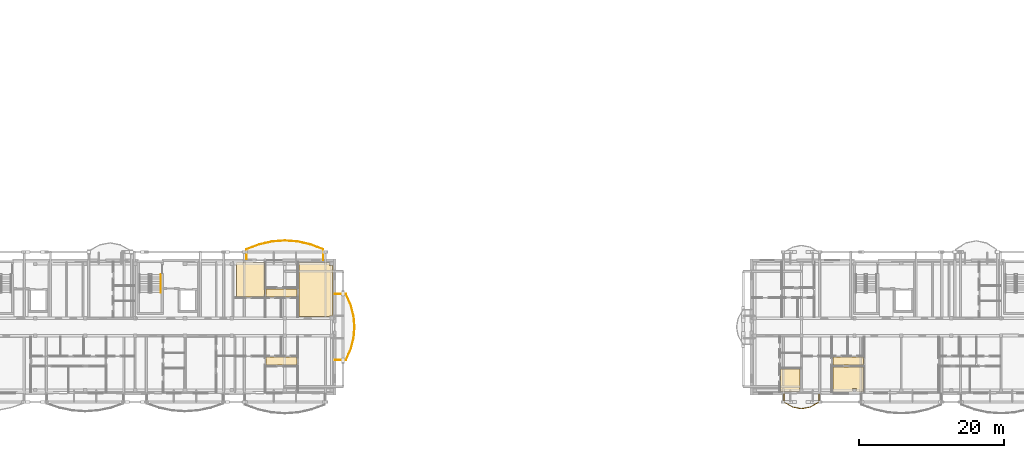
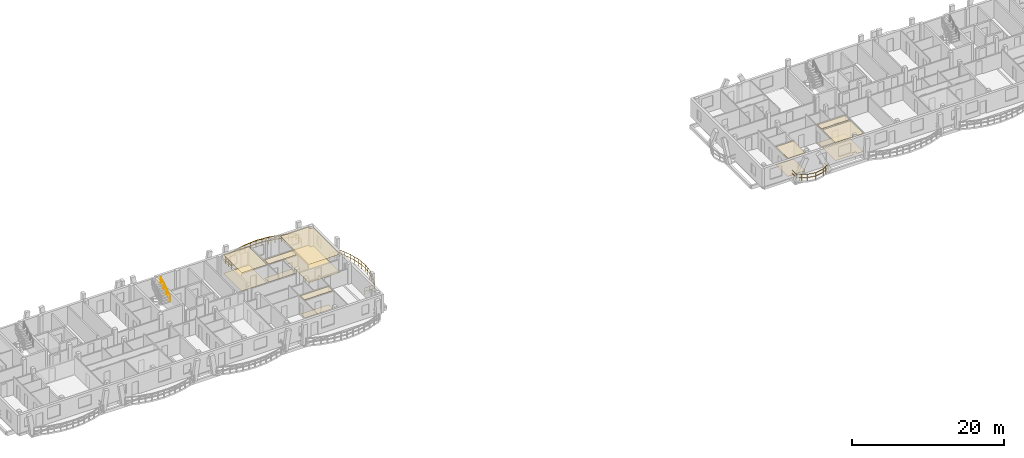
# One storey, part 41 of 52: 14 coverings, 4 railings.
"""IFC4 building model written with IfcOpenShell, lengths in metres."""

from ifc_helpers import new_model, si_unit, direction, frame, origin, origin_2d, place, context, subcontext, project, spatial, polyline, rectangle, outline, extrude, material, layer, layer_set, type_object, element, save


model = new_model("IFC4")

# Units and contexts
model_context = context("Model", 3, precision=1e-05, world=origin(), true_north=direction((0.0, 1.0)))
body_context = subcontext(model_context, "Body", "Model", "MODEL_VIEW")
ifc_project = project(units=[si_unit("LENGTHUNIT", "METRE"), si_unit("AREAUNIT", "SQUARE_METRE"), si_unit("VOLUMEUNIT", "CUBIC_METRE"), si_unit("PLANEANGLEUNIT", "RADIAN"), si_unit("MASSUNIT", "GRAM", prefix="KILO")], contexts=[model_context])

# Site, building, storey
site_placement = place(None, origin())
site = spatial("IfcSite", under=ifc_project, at=site_placement, CompositionType="ELEMENT")
building_placement = place(site_placement, origin())
building = spatial("IfcBuilding", under=site, at=building_placement, Name="Zavelmont Quarter", CompositionType="ELEMENT")
storey_placement = place(building_placement, frame((0.0, 0.0, 14.39990234375)))
storey = spatial("IfcBuildingStorey", under=building, at=storey_placement, Name="L04", CompositionType="ELEMENT", Elevation=14.39990234375)

# Coverings
ifc_material_1 = material(Name="Perforated acoustic gypsum board")
ifc_layer_1 = layer(ifc_material_1, 0.02490234375)
ifc_layer_set_1 = layer_set([ifc_layer_1], Name="Perforated acoustic gypsum board")
covering_type_1 = type_object("IfcCoveringType", Name="CV-CL01", PredefinedType="CEILING", material=ifc_layer_set_1)
covering_1_placement = place(storey_placement, frame((0.0, 0.0, 2.9150390625)))
element("IfcCovering", 1, at=covering_1_placement, inside=storey, type_object=covering_type_1, Name="L04 Double Bedroom acoustic ceiling", PredefinedType="CEILING", context=body_context, shape_type="SweptSolid", body=[
    extrude(outline(polyline([(41.6298828125, 18.1201171875), (45.469970703125, 18.1201171875), (45.469970703125, 13.3798828125), (41.6298828125, 13.3798828125), (41.6298828125, 18.1201171875)])), origin(), (0.0, 0.0, 1.0), 0.025146484375),
])
covering_2_placement = place(storey_placement, frame((0.0, 0.0, 2.9150390625)))
element("IfcCovering", 2, at=covering_2_placement, inside=storey, type_object=covering_type_1, Name="L04 Living Dining acoustic ceiling", PredefinedType="CEILING", context=body_context, shape_type="SweptSolid", body=[
    extrude(outline(polyline([(50.22998046875, 18.1201171875), (54.469970703125, 18.1201171875), (54.469970703125, 17.669921875), (54.969970703125, 17.669921875), (54.969970703125, 10.68994140625), (54.469970703125, 10.68994140625), (54.469970703125, 10.6298828125), (50.22998046875, 10.6298828125), (50.22998046875, 18.1201171875)])), origin(), (0.0, 0.0, 1.0), 0.025146484375),
])
covering_3_placement = place(storey_placement, frame((0.0, 0.0, 2.885009765625)))
element("IfcCovering", 3, at=covering_3_placement, inside=storey, type_object=covering_type_1, Name="L04 Single Bedroom acoustic ceiling", PredefinedType="CEILING", context=body_context, shape_type="SweptSolid", body=[
    extrude(outline(polyline([(116.830078125, 3.3701171875), (119.469970703125, 3.3701171875), (119.469970703125, 0.705078125), (119.43505859375, 0.705078125), (119.43505859375, 0.280029296875), (116.830078125, 0.280029296875), (116.830078125, 3.3701171875)])), origin(), (0.0, 0.0, 1.0), 0.025146484375),
])
covering_4_placement = place(storey_placement, frame((0.0, 0.0, 2.885009765625)))
element("IfcCovering", 4, at=covering_4_placement, inside=storey, type_object=covering_type_1, Name="L04 Master Bedroom acoustic ceiling", PredefinedType="CEILING", context=body_context, shape_type="SweptSolid", body=[
    extrude(outline(polyline([(124.030029296875, 3.669921875), (128.27001953125, 3.669921875), (128.27001953125, 0.280029296875), (127.304931640625, 0.280029296875), (127.304931640625, 0.705078125), (126.77490234375, 0.705078125), (126.77490234375, 0.280029296875), (124.030029296875, 0.280029296875), (124.030029296875, 3.669921875)])), origin(), (0.0, 0.0, 1.0), 0.025146484375),
])
ifc_material_2 = material(Name="Slatted European ash acoustic baffle ceiling")
ifc_layer_2 = layer(ifc_material_2, 0.0400390625)
ifc_layer_set_2 = layer_set([ifc_layer_2], Name="Slatted European ash acoustic baffle ceiling")
covering_type_2 = type_object("IfcCoveringType", Name="CV-CL02", PredefinedType="CEILING", material=ifc_layer_set_2)
covering_5_placement = place(storey_placement, frame((0.0, 0.0, 2.900146484375)))
element("IfcCovering", 5, at=covering_5_placement, inside=storey, type_object=covering_type_2, Name="L04 Apartment Hall acoustic ceiling", PredefinedType="CEILING", context=body_context, shape_type="SweptSolid", body=[
    extrude(outline(polyline([(45.72998046875, 5.02001953125), (49.969970703125, 5.02001953125), (49.969970703125, 3.929931640625), (45.72998046875, 3.929931640625), (45.72998046875, 5.02001953125)])), origin(), (0.0, 0.0, 1.0), 0.0400390625),
])
covering_6_placement = place(storey_placement, frame((0.0, 0.0, 2.900146484375)))
element("IfcCovering", 6, at=covering_6_placement, inside=storey, type_object=covering_type_2, Name="L04 Apartment Hall acoustic ceiling", PredefinedType="CEILING", context=body_context, shape_type="SweptSolid", body=[
    extrude(outline(polyline([(45.72998046875, 14.469970703125), (49.969970703125, 14.469970703125), (49.969970703125, 13.3798828125), (45.72998046875, 13.3798828125), (45.72998046875, 14.469970703125)])), origin(), (0.0, 0.0, 1.0), 0.0400390625),
])
covering_7_placement = place(storey_placement, frame((0.0, 0.0, 2.8701171875)))
element("IfcCovering", 7, at=covering_7_placement, inside=storey, type_object=covering_type_2, Name="L04 Apartment Hall acoustic ceiling", PredefinedType="CEILING", context=body_context, shape_type="SweptSolid", body=[
    extrude(outline(polyline([(124.030029296875, 5.02001953125), (128.27001953125, 5.02001953125), (128.27001953125, 3.929931640625), (124.030029296875, 3.929931640625), (124.030029296875, 5.02001953125)])), origin(), (0.0, 0.0, 1.0), 0.0400390625),
])
ifc_material_3 = material(Name="Engineered European oak parquet")
ifc_layer_3 = layer(ifc_material_3, 0.02197265625)
ifc_layer_set_3 = layer_set([ifc_layer_3], Name="Engineered European oak parquet")
covering_type_3 = type_object("IfcCoveringType", Name="CV-FL01", PredefinedType="FLOORING", material=ifc_layer_set_3)
covering_8_placement = place(storey_placement, origin())
element("IfcCovering", 8, at=covering_8_placement, inside=storey, type_object=covering_type_3, Name="L04 Double Bedroom floor finish", PredefinedType="FLOORING", context=body_context, shape_type="SweptSolid", body=[
    extrude(outline(polyline([(41.6298828125, 18.1201171875), (45.469970703125, 18.1201171875), (45.469970703125, 13.3798828125), (41.6298828125, 13.3798828125), (41.6298828125, 18.1201171875)])), origin(), (0.0, 0.0, 1.0), 0.022216796875),
])
covering_9_placement = place(storey_placement, origin())
element("IfcCovering", 9, at=covering_9_placement, inside=storey, type_object=covering_type_3, Name="L04 Living Dining floor finish", PredefinedType="FLOORING", context=body_context, shape_type="SweptSolid", body=[
    extrude(outline(polyline([(50.22998046875, 18.1201171875), (54.469970703125, 18.1201171875), (54.469970703125, 17.669921875), (54.969970703125, 17.669921875), (54.969970703125, 10.68994140625), (54.469970703125, 10.68994140625), (54.469970703125, 10.6298828125), (50.22998046875, 10.6298828125), (50.22998046875, 18.1201171875)])), origin(), (0.0, 0.0, 1.0), 0.022216796875),
])
covering_10_placement = place(storey_placement, origin())
element("IfcCovering", 10, at=covering_10_placement, inside=storey, type_object=covering_type_3, Name="L04 Single Bedroom floor finish", PredefinedType="FLOORING", context=body_context, shape_type="SweptSolid", body=[
    extrude(outline(polyline([(116.830078125, 3.3701171875), (119.469970703125, 3.3701171875), (119.469970703125, 0.705078125), (119.43505859375, 0.705078125), (119.43505859375, 0.280029296875), (116.830078125, 0.280029296875), (116.830078125, 3.3701171875)])), origin(), (0.0, 0.0, 1.0), 0.022216796875),
])
covering_11_placement = place(storey_placement, origin())
element("IfcCovering", 11, at=covering_11_placement, inside=storey, type_object=covering_type_3, Name="L04 Master Bedroom floor finish", PredefinedType="FLOORING", context=body_context, shape_type="SweptSolid", body=[
    extrude(outline(polyline([(124.030029296875, 3.669921875), (128.27001953125, 3.669921875), (128.27001953125, 0.280029296875), (127.304931640625, 0.280029296875), (127.304931640625, 0.705078125), (126.77490234375, 0.705078125), (126.77490234375, 0.280029296875), (124.030029296875, 0.280029296875), (124.030029296875, 3.669921875)])), origin(), (0.0, 0.0, 1.0), 0.022216796875),
])
ifc_material_4 = material(Name="Honed Belgian bluestone tile", Category="masonry")
ifc_layer_4 = layer(ifc_material_4, 0.030029296875)
ifc_layer_set_4 = layer_set([ifc_layer_4], Name="Honed Belgian bluestone tile")
covering_type_4 = type_object("IfcCoveringType", Name="CV-FL02", PredefinedType="FLOORING", material=ifc_layer_set_4)
covering_12_placement = place(storey_placement, origin())
element("IfcCovering", 12, at=covering_12_placement, inside=storey, type_object=covering_type_4, Name="L04 Apartment Hall floor finish", PredefinedType="FLOORING", context=body_context, shape_type="SweptSolid", body=[
    extrude(outline(polyline([(45.72998046875, 5.02001953125), (49.969970703125, 5.02001953125), (49.969970703125, 3.929931640625), (45.72998046875, 3.929931640625), (45.72998046875, 5.02001953125)])), origin(), (0.0, 0.0, 1.0), 0.030029296875),
])
covering_13_placement = place(storey_placement, origin())
element("IfcCovering", 13, at=covering_13_placement, inside=storey, type_object=covering_type_4, Name="L04 Apartment Hall floor finish", PredefinedType="FLOORING", context=body_context, shape_type="SweptSolid", body=[
    extrude(outline(polyline([(45.72998046875, 14.469970703125), (49.969970703125, 14.469970703125), (49.969970703125, 13.3798828125), (45.72998046875, 13.3798828125), (45.72998046875, 14.469970703125)])), origin(), (0.0, 0.0, 1.0), 0.030029296875),
])
covering_14_placement = place(storey_placement, origin())
element("IfcCovering", 14, at=covering_14_placement, inside=storey, type_object=covering_type_4, Name="L04 Apartment Hall floor finish", PredefinedType="FLOORING", context=body_context, shape_type="SweptSolid", body=[
    extrude(outline(polyline([(124.030029296875, 5.02001953125), (128.27001953125, 5.02001953125), (128.27001953125, 3.929931640625), (124.030029296875, 3.929931640625), (124.030029296875, 5.02001953125)])), origin(), (0.0, 0.0, 1.0), 0.030029296875),
])

# Railings
ifc_material_5 = material(Name="Powder-coated steel and tempered double safety glass", Category="steel")
railing_type_1 = type_object("IfcRailingType", Name="RL-BAL1", PredefinedType="BALUSTRADE", material=ifc_material_5)
railing_1_placement = place(storey_placement, frame((55.219970703125, 4.618896484375, 0.0)))
element("IfcRailing", 15, at=railing_1_placement, inside=storey, type_object=railing_type_1, Name="L04 Block A curved balcony guard RL-BAL1", PredefinedType="BALUSTRADE", context=body_context, shape_type="SweptSolid", body=[
    extrude(rectangle(XDim=0.048095703125, YDim=0.048095703125, at=origin_2d()), frame((0.0, 0.0, 1.076171875), z_axis=(1.0, 0.0, 0.0), x_axis=(0.0, 1.0, 0.0)), (0.0, 0.0, 1.0), 1.517333984375),
    extrude(rectangle(XDim=0.048095703125, YDim=0.048095703125, at=origin_2d()), frame((0.0, 0.0, 0.550048828125), z_axis=(1.0, 0.0, 0.0), x_axis=(0.0, 1.0, 0.0)), (0.0, 0.0, 1.0), 1.517333984375),
    extrude(rectangle(XDim=0.048095703125, YDim=0.048095703125, at=origin_2d()), frame((1.517333984375, 0.0, 1.076171875), z_axis=(0.402223510218, 0.915541505246, 0.0), x_axis=(-0.915541505246, 0.402223510218, 0.0)), (0.0, 0.0, 1.0), 1.66796875),
    extrude(rectangle(XDim=0.048095703125, YDim=0.048095703125, at=origin_2d()), frame((1.517333984375, 0.0, 0.550048828125), z_axis=(0.402223510218, 0.915541505246, 0.0), x_axis=(-0.915541505246, 0.402223510218, 0.0)), (0.0, 0.0, 1.0), 1.66796875),
    extrude(rectangle(XDim=0.048095703125, YDim=0.048095703125, at=origin_2d()), frame((2.188232421875, 1.527099609375, 1.076171875), z_axis=(0.254957510735, 0.966952257208, 0.0), x_axis=(-0.966952257208, 0.254957510735, 0.0)), (0.0, 0.0, 1.0), 1.5791015625),
    extrude(rectangle(XDim=0.048095703125, YDim=0.048095703125, at=origin_2d()), frame((2.188232421875, 1.527099609375, 0.550048828125), z_axis=(0.254957510735, 0.966952257208, 0.0), x_axis=(-0.966952257208, 0.254957510735, 0.0)), (0.0, 0.0, 1.0), 1.5791015625),
    extrude(rectangle(XDim=0.048095703125, YDim=0.048095703125, at=origin_2d()), frame((2.5908203125, 3.053955078125, 1.076171875), z_axis=(0.087591695218, 0.996156461069, 0.0), x_axis=(-0.996156461069, 0.087591695218, 0.0)), (0.0, 0.0, 1.0), 1.532958984375),
    extrude(rectangle(XDim=0.048095703125, YDim=0.048095703125, at=origin_2d()), frame((2.5908203125, 3.053955078125, 0.550048828125), z_axis=(0.087591695218, 0.996156461069, 0.0), x_axis=(-0.996156461069, 0.087591695218, 0.0)), (0.0, 0.0, 1.0), 1.532958984375),
    extrude(rectangle(XDim=0.048095703125, YDim=0.048095703125, at=origin_2d()), frame((2.72509765625, 4.5810546875, 1.076171875), z_axis=(-0.087591695218, 0.996156461069, 0.0), x_axis=(-0.996156461069, -0.087591695218, 0.0)), (0.0, 0.0, 1.0), 1.532958984375),
    extrude(rectangle(XDim=0.048095703125, YDim=0.048095703125, at=origin_2d()), frame((2.72509765625, 4.5810546875, 0.550048828125), z_axis=(-0.087591695218, 0.996156461069, 0.0), x_axis=(-0.996156461069, -0.087591695218, 0.0)), (0.0, 0.0, 1.0), 1.532958984375),
    extrude(rectangle(XDim=0.048095703125, YDim=0.048095703125, at=origin_2d()), frame((2.5908203125, 6.108154296875, 1.076171875), z_axis=(-0.254919399122, 0.966962305341, 0.0), x_axis=(-0.966962305341, -0.254919399122, 0.0)), (0.0, 0.0, 1.0), 1.579345703125),
    extrude(rectangle(XDim=0.048095703125, YDim=0.048095703125, at=origin_2d()), frame((2.5908203125, 6.108154296875, 0.550048828125), z_axis=(-0.254919399122, 0.966962305341, 0.0), x_axis=(-0.966962305341, -0.254919399122, 0.0)), (0.0, 0.0, 1.0), 1.579345703125),
    extrude(rectangle(XDim=0.048095703125, YDim=0.048095703125, at=origin_2d()), frame((2.188232421875, 7.63525390625, 1.076171875), z_axis=(-0.402223510218, 0.915541505246, 0.0), x_axis=(-0.915541505246, -0.402223510218, 0.0)), (0.0, 0.0, 1.0), 1.66796875),
    extrude(rectangle(XDim=0.048095703125, YDim=0.048095703125, at=origin_2d()), frame((2.188232421875, 7.63525390625, 0.550048828125), z_axis=(-0.402223510218, 0.915541505246, 0.0), x_axis=(-0.915541505246, -0.402223510218, 0.0)), (0.0, 0.0, 1.0), 1.66796875),
    extrude(rectangle(XDim=0.048095703125, YDim=0.048095703125, at=origin_2d()), frame((1.517333984375, 9.162353515625, 1.076171875), z_axis=(-1.0, 0.0, 0.0), x_axis=(0.0, -1.0, 0.0)), (0.0, 0.0, 1.0), 1.517333984375),
    extrude(rectangle(XDim=0.048095703125, YDim=0.048095703125, at=origin_2d()), frame((1.517333984375, 9.162353515625, 0.550048828125), z_axis=(-1.0, 0.0, 0.0), x_axis=(0.0, -1.0, 0.0)), (0.0, 0.0, 1.0), 1.517333984375),
    extrude(rectangle(XDim=0.0419921875, YDim=0.0419921875, at=origin_2d()), origin(), (0.0, 0.0, 1.0), 1.052001953125),
    extrude(rectangle(XDim=0.0419921875, YDim=0.0419921875, at=origin_2d()), frame((0.7587890625, 0.0, 0.0)), (0.0, 0.0, 1.0), 1.052001953125),
    extrude(rectangle(XDim=0.0419921875, YDim=0.0419921875, at=origin_2d()), frame((1.517333984375, 0.0, 0.0)), (0.0, 0.0, 1.0), 1.052001953125),
    extrude(rectangle(XDim=0.0419921875, YDim=0.0419921875, at=origin_2d()), frame((1.852783203125, 0.763671875, 0.0)), (0.0, 0.0, 1.0), 1.052001953125),
    extrude(rectangle(XDim=0.0419921875, YDim=0.0419921875, at=origin_2d()), frame((2.188232421875, 1.527099609375, 0.0)), (0.0, 0.0, 1.0), 1.052001953125),
    extrude(rectangle(XDim=0.0419921875, YDim=0.0419921875, at=origin_2d()), frame((2.3896484375, 2.29052734375, 0.0)), (0.0, 0.0, 1.0), 1.052001953125),
    extrude(rectangle(XDim=0.0419921875, YDim=0.0419921875, at=origin_2d()), frame((2.5908203125, 3.053955078125, 0.0)), (0.0, 0.0, 1.0), 1.052001953125),
    extrude(rectangle(XDim=0.0419921875, YDim=0.0419921875, at=origin_2d()), frame((2.657958984375, 3.8173828125, 0.0)), (0.0, 0.0, 1.0), 1.052001953125),
    extrude(rectangle(XDim=0.0419921875, YDim=0.0419921875, at=origin_2d()), frame((2.72509765625, 4.5810546875, 0.0)), (0.0, 0.0, 1.0), 1.052001953125),
    extrude(rectangle(XDim=0.0419921875, YDim=0.0419921875, at=origin_2d()), frame((2.657958984375, 5.3447265625, 0.0)), (0.0, 0.0, 1.0), 1.052001953125),
    extrude(rectangle(XDim=0.0419921875, YDim=0.0419921875, at=origin_2d()), frame((2.5908203125, 6.108154296875, 0.0)), (0.0, 0.0, 1.0), 1.052001953125),
    extrude(rectangle(XDim=0.0419921875, YDim=0.0419921875, at=origin_2d()), frame((2.3896484375, 6.87158203125, 0.0)), (0.0, 0.0, 1.0), 1.052001953125),
    extrude(rectangle(XDim=0.0419921875, YDim=0.0419921875, at=origin_2d()), frame((2.188232421875, 7.63525390625, 0.0)), (0.0, 0.0, 1.0), 1.052001953125),
    extrude(rectangle(XDim=0.0419921875, YDim=0.0419921875, at=origin_2d()), frame((1.852783203125, 8.39892578125, 0.0)), (0.0, 0.0, 1.0), 1.052001953125),
    extrude(rectangle(XDim=0.0419921875, YDim=0.0419921875, at=origin_2d()), frame((1.517333984375, 9.162353515625, 0.0)), (0.0, 0.0, 1.0), 1.052001953125),
    extrude(rectangle(XDim=0.0419921875, YDim=0.0419921875, at=origin_2d()), frame((0.7587890625, 9.162353515625, 0.0)), (0.0, 0.0, 1.0), 1.052001953125),
    extrude(rectangle(XDim=0.0419921875, YDim=0.0419921875, at=origin_2d()), frame((0.0, 9.162353515625, 0.0)), (0.0, 0.0, 1.0), 1.052001953125),
])
railing_2_placement = place(storey_placement, frame((53.6171875, 18.419921875, 0.0)))
element("IfcRailing", 16, at=railing_2_placement, inside=storey, type_object=railing_type_1, Name="L04 Block A curved balcony guard RL-BAL1", PredefinedType="BALUSTRADE", context=body_context, shape_type="SweptSolid", body=[
    extrude(rectangle(XDim=0.048095703125, YDim=0.048095703125, at=origin_2d()), frame((0.0, 0.0, 1.076171875), z_axis=(0.0, 1.0, 0.0), x_axis=(-1.0, 0.0, 0.0)), (0.0, 0.0, 1.0), 1.517333984375),
    extrude(rectangle(XDim=0.048095703125, YDim=0.048095703125, at=origin_2d()), frame((0.0, 0.0, 0.550048828125), z_axis=(0.0, 1.0, 0.0), x_axis=(-1.0, 0.0, 0.0)), (0.0, 0.0, 1.0), 1.517333984375),
    extrude(rectangle(XDim=0.048095703125, YDim=0.048095703125, at=origin_2d()), frame((0.0, 1.517333984375, 1.076171875), z_axis=(-0.935228618232, 0.354044392189, 0.0), x_axis=(-0.354044392189, -0.935228618232, 0.0)), (0.0, 0.0, 1.0), 1.89501953125),
    extrude(rectangle(XDim=0.048095703125, YDim=0.048095703125, at=origin_2d()), frame((0.0, 1.517333984375, 0.550048828125), z_axis=(-0.935228618232, 0.354044392189, 0.0), x_axis=(-0.354044392189, -0.935228618232, 0.0)), (0.0, 0.0, 1.0), 1.89501953125),
    extrude(rectangle(XDim=0.048095703125, YDim=0.048095703125, at=origin_2d()), frame((-1.772216796875, 2.188232421875, 1.076171875), z_axis=(-0.975161875285, 0.221493379111, 0.0), x_axis=(-0.221493379111, -0.975161875285, 0.0)), (0.0, 0.0, 1.0), 1.817626953125),
    extrude(rectangle(XDim=0.048095703125, YDim=0.048095703125, at=origin_2d()), frame((-1.772216796875, 2.188232421875, 0.550048828125), z_axis=(-0.975161875285, 0.221493379111, 0.0), x_axis=(-0.221493379111, -0.975161875285, 0.0)), (0.0, 0.0, 1.0), 1.817626953125),
    extrude(rectangle(XDim=0.048095703125, YDim=0.048095703125, at=origin_2d()), frame((-3.544677734375, 2.5908203125, 1.076171875), z_axis=(-0.997142688028, 0.075541112729, 0.0), x_axis=(-0.075541112729, -0.997142688028, 0.0)), (0.0, 0.0, 1.0), 1.777587890625),
    extrude(rectangle(XDim=0.048095703125, YDim=0.048095703125, at=origin_2d()), frame((-3.544677734375, 2.5908203125, 0.550048828125), z_axis=(-0.997142688028, 0.075541112729, 0.0), x_axis=(-0.075541112729, -0.997142688028, 0.0)), (0.0, 0.0, 1.0), 1.777587890625),
    extrude(rectangle(XDim=0.048095703125, YDim=0.048095703125, at=origin_2d()), frame((-5.317138671875, 2.72509765625, 1.076171875), z_axis=(-0.997142688028, -0.075541112729, 0.0), x_axis=(0.075541112729, -0.997142688028, 0.0)), (0.0, 0.0, 1.0), 1.777587890625),
    extrude(rectangle(XDim=0.048095703125, YDim=0.048095703125, at=origin_2d()), frame((-5.317138671875, 2.72509765625, 0.550048828125), z_axis=(-0.997142688028, -0.075541112729, 0.0), x_axis=(0.075541112729, -0.997142688028, 0.0)), (0.0, 0.0, 1.0), 1.777587890625),
    extrude(rectangle(XDim=0.048095703125, YDim=0.048095703125, at=origin_2d()), frame((-7.089599609375, 2.5908203125, 1.076171875), z_axis=(-0.975161875285, -0.221493379111, 0.0), x_axis=(0.221493379111, -0.975161875285, 0.0)), (0.0, 0.0, 1.0), 1.817626953125),
    extrude(rectangle(XDim=0.048095703125, YDim=0.048095703125, at=origin_2d()), frame((-7.089599609375, 2.5908203125, 0.550048828125), z_axis=(-0.975161875285, -0.221493379111, 0.0), x_axis=(0.221493379111, -0.975161875285, 0.0)), (0.0, 0.0, 1.0), 1.817626953125),
    extrude(rectangle(XDim=0.048095703125, YDim=0.048095703125, at=origin_2d()), frame((-8.862060546875, 2.188232421875, 1.076171875), z_axis=(-0.935244764715, -0.354001737388, 0.0), x_axis=(0.354001737388, -0.935244764715, 0.0)), (0.0, 0.0, 1.0), 1.895263671875),
    extrude(rectangle(XDim=0.048095703125, YDim=0.048095703125, at=origin_2d()), frame((-8.862060546875, 2.188232421875, 0.550048828125), z_axis=(-0.935244764715, -0.354001737388, 0.0), x_axis=(0.354001737388, -0.935244764715, 0.0)), (0.0, 0.0, 1.0), 1.895263671875),
    extrude(rectangle(XDim=0.048095703125, YDim=0.048095703125, at=origin_2d()), frame((-10.634521484375, 1.517333984375, 1.076171875), z_axis=(0.0, -1.0, 0.0), x_axis=(1.0, 0.0, 0.0)), (0.0, 0.0, 1.0), 1.517333984375),
    extrude(rectangle(XDim=0.048095703125, YDim=0.048095703125, at=origin_2d()), frame((-10.634521484375, 1.517333984375, 0.550048828125), z_axis=(0.0, -1.0, 0.0), x_axis=(1.0, 0.0, 0.0)), (0.0, 0.0, 1.0), 1.517333984375),
    extrude(rectangle(XDim=0.0419921875, YDim=0.0419921875, at=origin_2d()), origin(), (0.0, 0.0, 1.0), 1.052001953125),
    extrude(rectangle(XDim=0.0419921875, YDim=0.0419921875, at=origin_2d()), frame((0.0, 0.7587890625, 0.0)), (0.0, 0.0, 1.0), 1.052001953125),
    extrude(rectangle(XDim=0.0419921875, YDim=0.0419921875, at=origin_2d()), frame((0.0, 1.517333984375, 0.0)), (0.0, 0.0, 1.0), 1.052001953125),
    extrude(rectangle(XDim=0.0419921875, YDim=0.0419921875, at=origin_2d()), frame((-0.88623046875, 1.852783203125, 0.0)), (0.0, 0.0, 1.0), 1.052001953125),
    extrude(rectangle(XDim=0.0419921875, YDim=0.0419921875, at=origin_2d()), frame((-1.772216796875, 2.188232421875, 0.0)), (0.0, 0.0, 1.0), 1.052001953125),
    extrude(rectangle(XDim=0.0419921875, YDim=0.0419921875, at=origin_2d()), frame((-2.658447265625, 2.3896484375, 0.0)), (0.0, 0.0, 1.0), 1.052001953125),
    extrude(rectangle(XDim=0.0419921875, YDim=0.0419921875, at=origin_2d()), frame((-3.544677734375, 2.5908203125, 0.0)), (0.0, 0.0, 1.0), 1.052001953125),
    extrude(rectangle(XDim=0.0419921875, YDim=0.0419921875, at=origin_2d()), frame((-4.430908203125, 2.657958984375, 0.0)), (0.0, 0.0, 1.0), 1.052001953125),
    extrude(rectangle(XDim=0.0419921875, YDim=0.0419921875, at=origin_2d()), frame((-5.317138671875, 2.72509765625, 0.0)), (0.0, 0.0, 1.0), 1.052001953125),
    extrude(rectangle(XDim=0.0419921875, YDim=0.0419921875, at=origin_2d()), frame((-6.203369140625, 2.657958984375, 0.0)), (0.0, 0.0, 1.0), 1.052001953125),
    extrude(rectangle(XDim=0.0419921875, YDim=0.0419921875, at=origin_2d()), frame((-7.089599609375, 2.5908203125, 0.0)), (0.0, 0.0, 1.0), 1.052001953125),
    extrude(rectangle(XDim=0.0419921875, YDim=0.0419921875, at=origin_2d()), frame((-7.975830078125, 2.3896484375, 0.0)), (0.0, 0.0, 1.0), 1.052001953125),
    extrude(rectangle(XDim=0.0419921875, YDim=0.0419921875, at=origin_2d()), frame((-8.862060546875, 2.188232421875, 0.0)), (0.0, 0.0, 1.0), 1.052001953125),
    extrude(rectangle(XDim=0.0419921875, YDim=0.0419921875, at=origin_2d()), frame((-9.748291015625, 1.852783203125, 0.0)), (0.0, 0.0, 1.0), 1.052001953125),
    extrude(rectangle(XDim=0.0419921875, YDim=0.0419921875, at=origin_2d()), frame((-10.634521484375, 1.517333984375, 0.0)), (0.0, 0.0, 1.0), 1.052001953125),
    extrude(rectangle(XDim=0.0419921875, YDim=0.0419921875, at=origin_2d()), frame((-10.634521484375, 0.7587890625, 0.0)), (0.0, 0.0, 1.0), 1.052001953125),
    extrude(rectangle(XDim=0.0419921875, YDim=0.0419921875, at=origin_2d()), frame((-10.634521484375, 0.0, 0.0)), (0.0, 0.0, 1.0), 1.052001953125),
])
railing_3_placement = place(storey_placement, frame((117.276611328125, -0.02001953125, 0.0)))
element("IfcRailing", 17, at=railing_3_placement, inside=storey, type_object=railing_type_1, Name="L04 Block D curved balcony guard RL-BAL1", PredefinedType="BALUSTRADE", context=body_context, shape_type="SweptSolid", body=[
    extrude(rectangle(XDim=0.048095703125, YDim=0.048095703125, at=origin_2d()), frame((0.0, 0.0, 1.076171875), z_axis=(0.0, -1.0, 0.0), x_axis=(1.0, 0.0, 0.0)), (0.0, 0.0, 1.0), 1.159912109375),
    extrude(rectangle(XDim=0.048095703125, YDim=0.048095703125, at=origin_2d()), frame((0.0, 0.0, 0.550048828125), z_axis=(0.0, -1.0, 0.0), x_axis=(1.0, 0.0, 0.0)), (0.0, 0.0, 1.0), 1.159912109375),
    extrude(rectangle(XDim=0.048095703125, YDim=0.048095703125, at=origin_2d()), frame((0.0, -1.159912109375, 1.076171875), z_axis=(0.867338323447, -0.497719029856, 0.0), x_axis=(0.497719029856, 0.867338323447, 0.0)), (0.0, 0.0, 1.0), 1.39697265625),
    extrude(rectangle(XDim=0.048095703125, YDim=0.048095703125, at=origin_2d()), frame((0.0, -1.159912109375, 0.550048828125), z_axis=(0.867338323447, -0.497719029856, 0.0), x_axis=(0.497719029856, 0.867338323447, 0.0)), (0.0, 0.0, 1.0), 1.39697265625),
    extrude(rectangle(XDim=0.048095703125, YDim=0.048095703125, at=origin_2d()), frame((1.211669921875, -1.855224609375, 1.076171875), z_axis=(0.982204936337, -0.187812307996, 0.0), x_axis=(0.187812307996, 0.982204936337, 0.0)), (0.0, 0.0, 1.0), 1.233642578125),
    extrude(rectangle(XDim=0.048095703125, YDim=0.048095703125, at=origin_2d()), frame((1.211669921875, -1.855224609375, 0.550048828125), z_axis=(0.982204936337, -0.187812307996, 0.0), x_axis=(0.187812307996, 0.982204936337, 0.0)), (0.0, 0.0, 1.0), 1.233642578125),
    extrude(rectangle(XDim=0.048095703125, YDim=0.048095703125, at=origin_2d()), frame((2.42333984375, -2.0869140625, 1.076171875), z_axis=(0.982204936337, 0.187812307996, 0.0), x_axis=(-0.187812307996, 0.982204936337, 0.0)), (0.0, 0.0, 1.0), 1.233642578125),
    extrude(rectangle(XDim=0.048095703125, YDim=0.048095703125, at=origin_2d()), frame((2.42333984375, -2.0869140625, 0.550048828125), z_axis=(0.982204936337, 0.187812307996, 0.0), x_axis=(-0.187812307996, 0.982204936337, 0.0)), (0.0, 0.0, 1.0), 1.233642578125),
    extrude(rectangle(XDim=0.048095703125, YDim=0.048095703125, at=origin_2d()), frame((3.635009765625, -1.855224609375, 1.076171875), z_axis=(0.867338323447, 0.497719029856, 0.0), x_axis=(-0.497719029856, 0.867338323447, 0.0)), (0.0, 0.0, 1.0), 1.39697265625),
    extrude(rectangle(XDim=0.048095703125, YDim=0.048095703125, at=origin_2d()), frame((3.635009765625, -1.855224609375, 0.550048828125), z_axis=(0.867338323447, 0.497719029856, 0.0), x_axis=(-0.497719029856, 0.867338323447, 0.0)), (0.0, 0.0, 1.0), 1.39697265625),
    extrude(rectangle(XDim=0.048095703125, YDim=0.048095703125, at=origin_2d()), frame((4.8466796875, -1.159912109375, 1.076171875), z_axis=(0.0, 1.0, 0.0), x_axis=(-1.0, 0.0, 0.0)), (0.0, 0.0, 1.0), 1.159912109375),
    extrude(rectangle(XDim=0.048095703125, YDim=0.048095703125, at=origin_2d()), frame((4.8466796875, -1.159912109375, 0.550048828125), z_axis=(0.0, 1.0, 0.0), x_axis=(-1.0, 0.0, 0.0)), (0.0, 0.0, 1.0), 1.159912109375),
    extrude(rectangle(XDim=0.0419921875, YDim=0.0419921875, at=origin_2d()), origin(), (0.0, 0.0, 1.0), 1.052001953125),
    extrude(rectangle(XDim=0.0419921875, YDim=0.0419921875, at=origin_2d()), frame((0.0, -1.159912109375, 0.0)), (0.0, 0.0, 1.0), 1.052001953125),
    extrude(rectangle(XDim=0.0419921875, YDim=0.0419921875, at=origin_2d()), frame((0.60595703125, -1.507568359375, 0.0)), (0.0, 0.0, 1.0), 1.052001953125),
    extrude(rectangle(XDim=0.0419921875, YDim=0.0419921875, at=origin_2d()), frame((1.211669921875, -1.855224609375, 0.0)), (0.0, 0.0, 1.0), 1.052001953125),
    extrude(rectangle(XDim=0.0419921875, YDim=0.0419921875, at=origin_2d()), frame((1.8173828125, -1.97119140625, 0.0)), (0.0, 0.0, 1.0), 1.052001953125),
    extrude(rectangle(XDim=0.0419921875, YDim=0.0419921875, at=origin_2d()), frame((2.42333984375, -2.0869140625, 0.0)), (0.0, 0.0, 1.0), 1.052001953125),
    extrude(rectangle(XDim=0.0419921875, YDim=0.0419921875, at=origin_2d()), frame((3.029296875, -1.97119140625, 0.0)), (0.0, 0.0, 1.0), 1.052001953125),
    extrude(rectangle(XDim=0.0419921875, YDim=0.0419921875, at=origin_2d()), frame((3.635009765625, -1.855224609375, 0.0)), (0.0, 0.0, 1.0), 1.052001953125),
    extrude(rectangle(XDim=0.0419921875, YDim=0.0419921875, at=origin_2d()), frame((4.24072265625, -1.507568359375, 0.0)), (0.0, 0.0, 1.0), 1.052001953125),
    extrude(rectangle(XDim=0.0419921875, YDim=0.0419921875, at=origin_2d()), frame((4.8466796875, -1.159912109375, 0.0)), (0.0, 0.0, 1.0), 1.052001953125),
    extrude(rectangle(XDim=0.0419921875, YDim=0.0419921875, at=origin_2d()), frame((4.8466796875, 0.0, 0.0)), (0.0, 0.0, 1.0), 1.052001953125),
])
ifc_material_6 = material(Name="Brushed stainless-steel wall handrail", Category="steel")
railing_type_2 = type_object("IfcRailingType", Name="RL-HND1", PredefinedType="HANDRAIL", material=ifc_material_6)
railing_4_placement = place(storey_placement, frame((31.14990234375, 13.969970703125, 1.77783203125)))
element("IfcRailing", 18, at=railing_4_placement, inside=storey, type_object=railing_type_2, Name="L04 ST02 stair handrail 2", PredefinedType="HANDRAIL", context=body_context, shape_type="SweptSolid", body=[
    extrude(rectangle(XDim=0.048095703125, YDim=0.048095703125, at=origin_2d()), frame((0.0, 0.0, 0.8759765625), z_axis=(0.0, 0.867453774394, 0.497517787913), x_axis=(-1.0, 0.0, 0.0)), (0.0, 0.0, 1.0), 2.85888671875),
    extrude(rectangle(XDim=0.0419921875, YDim=0.0419921875, at=origin_2d()), origin(), (0.0, 0.0, 1.0), 0.851806640625),
    extrude(rectangle(XDim=0.0419921875, YDim=0.0419921875, at=origin_2d()), frame((0.0, 0.82666015625, 0.47412109375)), (0.0, 0.0, 1.0), 0.851806640625),
    extrude(rectangle(XDim=0.0419921875, YDim=0.0419921875, at=origin_2d()), frame((0.0, 1.6533203125, 0.9482421875)), (0.0, 0.0, 1.0), 0.851806640625),
    extrude(rectangle(XDim=0.0419921875, YDim=0.0419921875, at=origin_2d()), frame((0.0, 2.47998046875, 1.42236328125)), (0.0, 0.0, 1.0), 0.851806640625),
])

save(model, "model.ifc")
